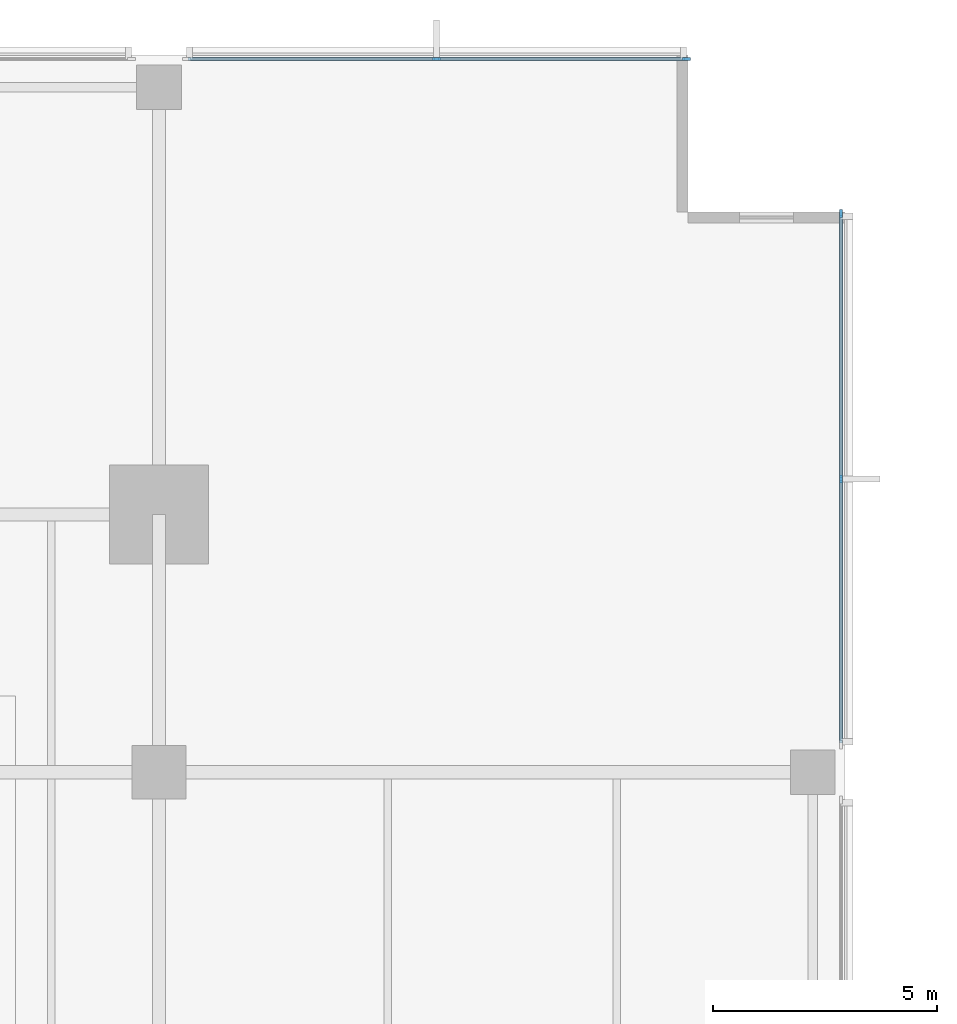
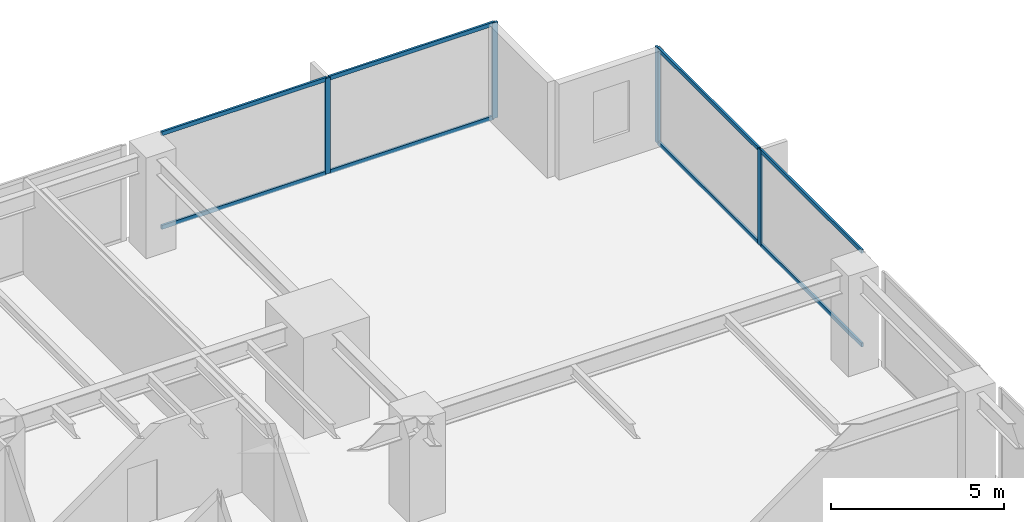
# One storey, part 6 of 15: 12 members, 2 elements without a shape of their own.
"""IFC4 building model written with IfcOpenShell, lengths in metres."""

from ifc_helpers import new_model, si_unit, direction, frame, origin, origin_2d, place, context, subcontext, project, spatial, rectangle, extrude, material, layer, layer_set, material_profile, profile_set, type_object, element, aggregate, save


model = new_model("IFC4")

# Units and contexts
model_context = context("Model", 3, precision=1e-05, world=origin(), true_north=direction((0.0, 1.0)))
body_context = subcontext(model_context, "Body", "Model", "MODEL_VIEW")
ifc_project = project(units=[si_unit("LENGTHUNIT", "METRE"), si_unit("AREAUNIT", "SQUARE_METRE"), si_unit("VOLUMEUNIT", "CUBIC_METRE"), si_unit("PLANEANGLEUNIT", "RADIAN"), si_unit("MASSUNIT", "GRAM", prefix="KILO")], contexts=[model_context])

# Site, building, storey
site_placement = place(None, origin())
site = spatial("IfcSite", under=ifc_project, at=site_placement, CompositionType="ELEMENT")
building_placement = place(site_placement, origin())
building = spatial("IfcBuilding", under=site, at=building_placement, Name="Kinhvarn Gate Tower", CompositionType="ELEMENT")
storey_placement = place(building_placement, frame((0.0, 0.0, 43.35009765625)))
storey = spatial("IfcBuildingStorey", under=building, at=storey_placement, Name="L10", CompositionType="ELEMENT", Elevation=43.35009765625)

# Curtain wall, members
ifc_material = material(Name="Anodised aluminium AW-6063", Category="aluminium")
ifc_layer = layer(ifc_material, 0.179931640625)
ifc_layer_set = layer_set([ifc_layer], Name="Anodised aluminium AW-6063")
curtain_wall_type = type_object("IfcCurtainWallType", Name="CW-SYS-2", PredefinedType="NOTDEFINED", material=ifc_layer_set)
curtain_wall_1_placement = place(storey_placement, origin())
curtain_wall_1 = element("IfcCurtainWall", 1, at=curtain_wall_1_placement, inside=storey, type_object=curtain_wall_type, Name="Curtain Wall CW2 (L10)", PredefinedType="NOTDEFINED")
ifc_material_profile_1 = material_profile(ifc_material, rectangle(XDim=0.070068359375, YDim=0.179931640625, at=origin_2d()), Name="ALU 70x180")
ifc_profile_set_1 = profile_set([ifc_material_profile_1], Name="Anodised aluminium AW-6063")
member_type_1 = type_object("IfcMemberType", Name="CW-MUL-180", PredefinedType="MULLION", material=ifc_profile_set_1)
member_1_placement = place(storey_placement, frame((49.965087890625, 47.909912109375, 0.0), z_axis=(0.0, 0.0, 1.0), x_axis=(0.0, -1.0, 0.0)))
member_1 = element("IfcMember", 2, at=member_1_placement, type_object=member_type_1, Name="CW2 mullion 1", PredefinedType="MULLION", context=body_context, shape_type="SweptSolid", body=[
    extrude(rectangle(XDim=0.070068359375, YDim=0.179931640625, at=origin_2d()), origin(), (0.0, 0.0, 1.0), 3.369873046875),
])
member_2_placement = place(storey_placement, frame((44.389892578125, 47.909912109375, 0.0), z_axis=(0.0, 0.0, 1.0), x_axis=(0.0, -1.0, 0.0)))
member_2 = element("IfcMember", 3, at=member_2_placement, type_object=member_type_1, Name="CW2 mullion 2", PredefinedType="MULLION", context=body_context, shape_type="SweptSolid", body=[
    extrude(rectangle(XDim=0.070068359375, YDim=0.179931640625, at=origin_2d()), origin(), (0.0, 0.0, 1.0), 3.369873046875),
])

curtain_wall_2_placement = place(storey_placement, origin())
curtain_wall_2 = element("IfcCurtainWall", 4, at=curtain_wall_2_placement, inside=storey, type_object=curtain_wall_type, Name="Curtain Wall CW2 (L10)", PredefinedType="NOTDEFINED")
member_3_placement = place(storey_placement, frame((53.409912109375, 38.5400390625, 0.0), z_axis=(0.0, 0.0, 1.0), x_axis=(-1.0, 0.0, 0.0)))
member_3 = element("IfcMember", 5, at=member_3_placement, type_object=member_type_1, Name="CW2 mullion 2", PredefinedType="MULLION", context=body_context, shape_type="SweptSolid", body=[
    extrude(rectangle(XDim=0.070068359375, YDim=0.179931640625, at=origin_2d()), origin(), (0.0, 0.0, 1.0), 3.369873046875),
])
member_4_placement = place(storey_placement, frame((53.409912109375, 44.465087890625, 0.0), z_axis=(0.0, 0.0, 1.0), x_axis=(-1.0, 0.0, 0.0)))
member_4 = element("IfcMember", 6, at=member_4_placement, type_object=member_type_1, Name="CW2 mullion 3", PredefinedType="MULLION", context=body_context, shape_type="SweptSolid", body=[
    extrude(rectangle(XDim=0.070068359375, YDim=0.179931640625, at=origin_2d()), origin(), (0.0, 0.0, 1.0), 3.369873046875),
])

# Member
ifc_material_profile_2 = material_profile(ifc_material, rectangle(XDim=0.070068359375, YDim=0.139892578125, at=origin_2d()), Name="ALU 70x140")
ifc_profile_set_2 = profile_set([ifc_material_profile_2], Name="Anodised aluminium AW-6063")
member_type_2 = type_object("IfcMemberType", Name="CW-TRN-140", PredefinedType="USERDEFINED", material=ifc_profile_set_2)
member_5_placement = place(storey_placement, frame((49.929931640625, 47.909912109375, 0.034912109375), z_axis=(-1.0, 0.0, 0.0), x_axis=(0.0, -1.0, 0.0)))
member_5 = element("IfcMember", 7, at=member_5_placement, type_object=member_type_2, Name="CW2 transom 1.1", ObjectType="TRANSOM", PredefinedType="USERDEFINED", context=body_context, shape_type="SweptSolid", body=[
    extrude(rectangle(XDim=0.070068359375, YDim=0.139892578125, at=origin_2d()), origin(), (0.0, 0.0, 1.0), 5.5048828125),
])

member_6_placement = place(storey_placement, frame((49.929931640625, 47.909912109375, 3.3349609375), z_axis=(-1.0, 0.0, 0.0), x_axis=(0.0, -1.0, 0.0)))
member_6 = element("IfcMember", 8, at=member_6_placement, type_object=member_type_2, Name="CW2 transom 1.2", ObjectType="TRANSOM", PredefinedType="USERDEFINED", context=body_context, shape_type="SweptSolid", body=[
    extrude(rectangle(XDim=0.070068359375, YDim=0.139892578125, at=origin_2d()), origin(), (0.0, 0.0, 1.0), 5.5048828125),
])

member_7_placement = place(storey_placement, frame((44.35498046875, 47.909912109375, 0.034912109375), z_axis=(-1.0, 0.0, 0.0), x_axis=(0.0, -1.0, 0.0)))
member_7 = element("IfcMember", 9, at=member_7_placement, type_object=member_type_2, Name="CW2 transom 2.1", ObjectType="TRANSOM", PredefinedType="USERDEFINED", context=body_context, shape_type="SweptSolid", body=[
    extrude(rectangle(XDim=0.070068359375, YDim=0.139892578125, at=origin_2d()), origin(), (0.0, 0.0, 1.0), 5.5048828125),
])

member_8_placement = place(storey_placement, frame((44.35498046875, 47.909912109375, 3.3349609375), z_axis=(-1.0, 0.0, 0.0), x_axis=(0.0, -1.0, 0.0)))
member_8 = element("IfcMember", 10, at=member_8_placement, type_object=member_type_2, Name="CW2 transom 2.2", ObjectType="TRANSOM", PredefinedType="USERDEFINED", context=body_context, shape_type="SweptSolid", body=[
    extrude(rectangle(XDim=0.070068359375, YDim=0.139892578125, at=origin_2d()), origin(), (0.0, 0.0, 1.0), 5.5048828125),
])

aggregate(curtain_wall_1, [member_1, member_2, member_5, member_6, member_7, member_8])

member_9_placement = place(storey_placement, frame((53.409912109375, 32.64990234375, 0.034912109375), z_axis=(0.0, 1.0, 0.0), x_axis=(-1.0, 0.0, 0.0)))
member_9 = element("IfcMember", 11, at=member_9_placement, type_object=member_type_2, Name="CW2 transom 1.1", ObjectType="TRANSOM", PredefinedType="USERDEFINED", context=body_context, shape_type="SweptSolid", body=[
    extrude(rectangle(XDim=0.070068359375, YDim=0.139892578125, at=origin_2d()), origin(), (0.0, 0.0, 1.0), 5.85498046875),
])

member_10_placement = place(storey_placement, frame((53.409912109375, 32.64990234375, 3.3349609375), z_axis=(0.0, 1.0, 0.0), x_axis=(-1.0, 0.0, 0.0)))
member_10 = element("IfcMember", 12, at=member_10_placement, type_object=member_type_2, Name="CW2 transom 1.2", ObjectType="TRANSOM", PredefinedType="USERDEFINED", context=body_context, shape_type="SweptSolid", body=[
    extrude(rectangle(XDim=0.070068359375, YDim=0.139892578125, at=origin_2d()), origin(), (0.0, 0.0, 1.0), 5.85498046875),
])

member_11_placement = place(storey_placement, frame((53.409912109375, 38.574951171875, 0.034912109375), z_axis=(0.0, 1.0, 0.0), x_axis=(-1.0, 0.0, 0.0)))
member_11 = element("IfcMember", 13, at=member_11_placement, type_object=member_type_2, Name="CW2 transom 2.1", ObjectType="TRANSOM", PredefinedType="USERDEFINED", context=body_context, shape_type="SweptSolid", body=[
    extrude(rectangle(XDim=0.070068359375, YDim=0.139892578125, at=origin_2d()), origin(), (0.0, 0.0, 1.0), 5.85498046875),
])

member_12_placement = place(storey_placement, frame((53.409912109375, 38.574951171875, 3.3349609375), z_axis=(0.0, 1.0, 0.0), x_axis=(-1.0, 0.0, 0.0)))
member_12 = element("IfcMember", 14, at=member_12_placement, type_object=member_type_2, Name="CW2 transom 2.2", ObjectType="TRANSOM", PredefinedType="USERDEFINED", context=body_context, shape_type="SweptSolid", body=[
    extrude(rectangle(XDim=0.070068359375, YDim=0.139892578125, at=origin_2d()), origin(), (0.0, 0.0, 1.0), 5.85498046875),
])

aggregate(curtain_wall_2, [member_3, member_4, member_9, member_10, member_11, member_12])

save(model, "model.ifc")
